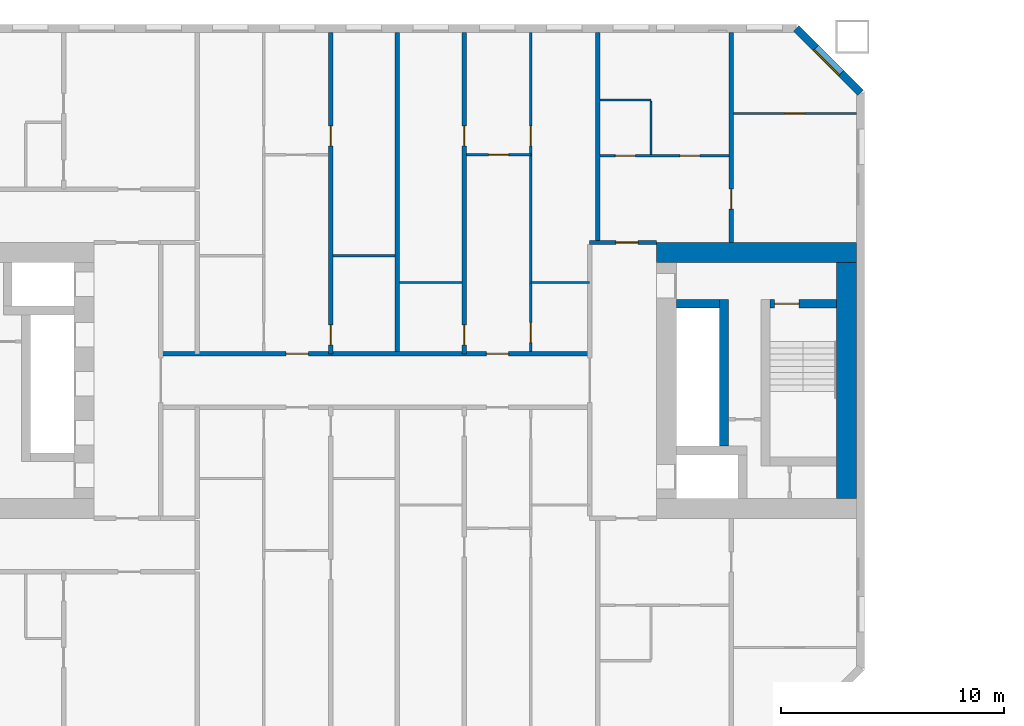
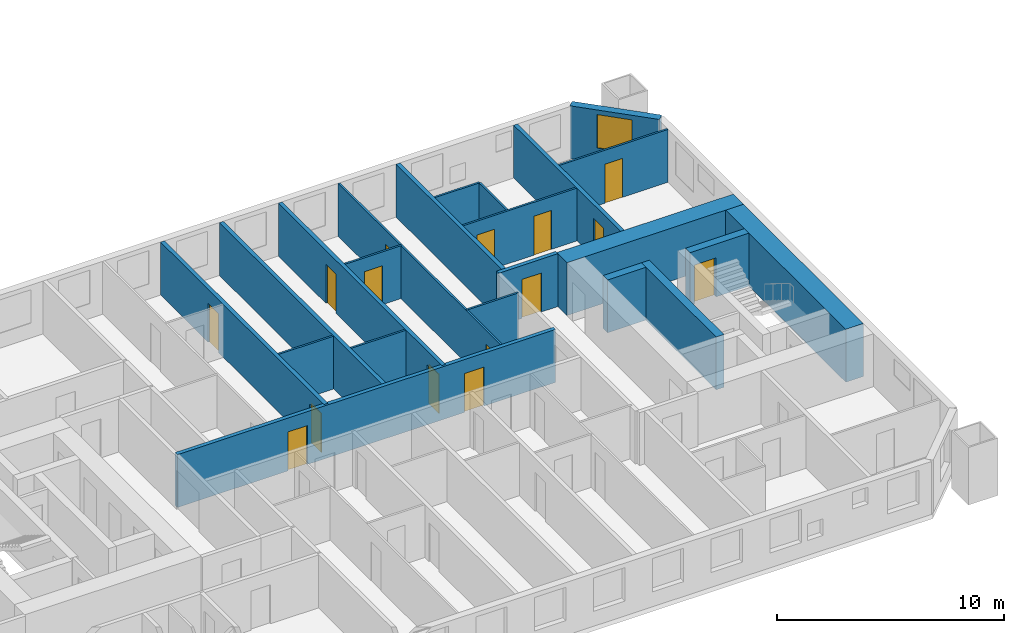
# One storey, part 8 of 17: 22 walls, 15 doors, 1 window, 16 openings.
"""IFC4 building model written with IfcOpenShell, lengths in metres."""

from ifc_helpers import new_model, si_unit, direction, frame, frame_2d, origin, place, context, subcontext, project, spatial, rectangle, extrude, material, layer, layer_set, type_object, element, fill, save


model = new_model("IFC4")

# Units and contexts
model_context = context("Model", 3, precision=1e-05, world=origin(), true_north=direction((0.0, 1.0)))
body_context = subcontext(model_context, "Body", "Model", "MODEL_VIEW")
ifc_project = project(units=[si_unit("LENGTHUNIT", "METRE"), si_unit("AREAUNIT", "SQUARE_METRE"), si_unit("VOLUMEUNIT", "CUBIC_METRE"), si_unit("PLANEANGLEUNIT", "RADIAN"), si_unit("MASSUNIT", "GRAM", prefix="KILO")], contexts=[model_context])

# Site, building, storey
site_placement = place(None, origin())
site = spatial("IfcSite", under=ifc_project, at=site_placement, CompositionType="ELEMENT")
building_placement = place(site_placement, origin())
building = spatial("IfcBuilding", under=site, at=building_placement, Name="Tuart Gate Housing", CompositionType="ELEMENT")
storey_placement = place(building_placement, frame((0.0, 0.0, 22.60009765625)))
storey = spatial("IfcBuildingStorey", under=building, at=storey_placement, Name="L05", CompositionType="ELEMENT", Elevation=22.60009765625)

# Wall, opening, window
ifc_material_1 = material(Name="Brick", Category="masonry")
ifc_layer_1 = layer(ifc_material_1, 0.360107421875)
ifc_layer_set_1 = layer_set([ifc_layer_1], Name="Brick pier and spandrel wall 360")
wall_type_1 = type_object("IfcWallType", Name="Brick pier and spandrel wall 360", PredefinedType="STANDARD", material=ifc_layer_set_1)
wall_1_placement = place(storey_placement, frame((75.820068359375, 82.92529296875, 0.0), z_axis=(0.0, 0.0, 1.0), x_axis=(-0.707106781187, 0.707106781187, 0.0)))
wall_1 = element("IfcWall", 1, at=wall_1_placement, inside=storey, type_object=wall_type_1, Name="External wall A-NE L05", PredefinedType="STANDARD", context=body_context, shape_type="SweptSolid", body=[
    extrude(rectangle(XDim=4.09375, YDim=0.360107421875, at=frame_2d((2.046875, 0.0))), origin(), (0.0, 0.0, 1.0), 2.849853515625),
])
opening_1_placement = place(wall_1_placement, frame((1.2470703125, 0.0, 0.800048828125)))
opening_1 = element("IfcOpeningElement", 2, at=opening_1_placement, cuts=wall_1, Name="Opening W1", PredefinedType="OPENING", context=body_context, shape_type="SweptSolid", body=[
    extrude(rectangle(XDim=1.60009765625, YDim=1.800048828125, at=frame_2d((0.800048828125, 0.89990234375))), frame((0.0, 0.18994140625, 0.0), z_axis=(0.0, -1.0, 0.0), x_axis=(1.0, 0.0, 0.0)), (0.0, 0.0, 1.0), 0.380126953125),
])
ifc_material_2 = material(Name="Aluminium frame with clear glass", Category="aluminium")
window_type = type_object("IfcWindowType", Name="Punched window 1600 x 1800", PartitioningType="SINGLE_PANEL", PredefinedType="WINDOW", material=ifc_material_2)
window_placement = place(opening_1_placement, origin())
window = element("IfcWindow", 3, at=window_placement, inside=storey, type_object=window_type, Name="Window W1", OverallHeight=1.800048828125, OverallWidth=1.60009765625, PartitioningType="SINGLE_PANEL", PredefinedType="WINDOW", context=body_context, shape_type="SweptSolid", body=[
    extrude(rectangle(XDim=1.60009765625, YDim=1.800048828125, at=frame_2d((0.800048828125, 0.89990234375))), frame((0.0, 0.150146484375, 0.0), z_axis=(0.0, -1.0, 0.0), x_axis=(1.0, 0.0, 0.0)), (0.0, 0.0, 1.0), 0.06005859375),
])
fill(opening_1, window)

# Wall
ifc_material_3 = material(Name="Concrete C60", Category="concrete")
ifc_layer_2 = layer(ifc_material_3, 0.39990234375)
ifc_layer_set_2 = layer_set([ifc_layer_2], Name="Core wall 400 C60")
wall_type_2 = type_object("IfcWallType", Name="Core wall 400 C60", PredefinedType="SHEAR", material=ifc_layer_set_2)
wall_2_placement = place(storey_placement, frame((67.5400390625, 73.449951171875, 0.0), z_axis=(0.0, 0.0, 1.0), x_axis=(1.0, 0.0, 0.0)))
element("IfcWall", 4, at=wall_2_placement, inside=storey, type_object=wall_type_2, Name="Core wall AG.4", PredefinedType="SHEAR", context=body_context, shape_type="SweptSolid", body=[
    extrude(rectangle(XDim=1.949951171875, YDim=0.39990234375, at=frame_2d((0.97509765625, 0.0))), origin(), (0.0, 0.0, 1.0), 2.849853515625),
])

# Wall, opening, door
wall_3_placement = place(storey_placement, frame((71.739990234375, 73.449951171875, 0.0), z_axis=(0.0, 0.0, 1.0), x_axis=(1.0, 0.0, 0.0)))
wall_3 = element("IfcWall", 5, at=wall_3_placement, inside=storey, type_object=wall_type_2, Name="Core wall AG.5", PredefinedType="SHEAR", context=body_context, shape_type="SweptSolid", body=[
    extrude(rectangle(XDim=3.0, YDim=0.39990234375, at=frame_2d((1.5, 0.0))), origin(), (0.0, 0.0, 1.0), 2.849853515625),
])
opening_2_placement = place(wall_3_placement, frame((0.219970703125, 0.0, 0.0)))
opening_2 = element("IfcOpeningElement", 6, at=opening_2_placement, cuts=wall_3, Name="Opening D368", PredefinedType="OPENING", context=body_context, shape_type="SweptSolid", body=[
    extrude(rectangle(XDim=1.10009765625, YDim=2.10009765625, at=frame_2d((0.550048828125, 1.050048828125))), frame((0.0, 0.2099609375, 0.0), z_axis=(0.0, -1.0, 0.0), x_axis=(1.0, 0.0, 0.0)), (0.0, 0.0, 1.0), 0.419921875),
])
ifc_material_4 = material(Name="Steel fire door", Category="steel")
door_type_1 = type_object("IfcDoorType", Name="Stair door 1100 x 2100 RH", OperationType="SINGLE_SWING_RIGHT", PredefinedType="DOOR", material=ifc_material_4)
door_1_placement = place(opening_2_placement, frame((1.10009765625, 0.0, 0.0), z_axis=(0.0, 0.0, 1.0), x_axis=(-1.0, 0.0, 0.0)))
door_1 = element("IfcDoor", 7, at=door_1_placement, inside=storey, type_object=door_type_1, Name="Stair door AG.SD", OperationType="SINGLE_SWING_RIGHT", OverallHeight=2.10009765625, OverallWidth=1.10009765625, PredefinedType="DOOR", context=body_context, shape_type="SweptSolid", body=[
    extrude(rectangle(XDim=1.10009765625, YDim=2.10009765625, at=frame_2d((0.550048828125, 1.050048828125))), frame((0.0, 0.025146484375, 0.0), z_axis=(0.0, -1.0, 0.0), x_axis=(1.0, 0.0, 0.0)), (0.0, 0.0, 1.0), 0.050048828125),
])
fill(opening_2, door_1)

# Walls
wall_4_placement = place(storey_placement, frame((69.68994140625, 67.050048828125, 0.0), z_axis=(0.0, 0.0, 1.0), x_axis=(0.0, 1.0, 0.0)))
element("IfcWall", 8, at=wall_4_placement, inside=storey, type_object=wall_type_2, Name="Core wall AG.6", PredefinedType="SHEAR", context=body_context, shape_type="SweptSolid", body=[
    extrude(rectangle(XDim=6.599853515625, YDim=0.39990234375, at=frame_2d((3.2998046875, 0.0))), origin(), (0.0, 0.0, 1.0), 2.849853515625),
])
ifc_material_5 = material(Name="Concrete C60", Category="concrete")
ifc_layer_3 = layer(ifc_material_5, 0.89990234375)
ifc_layer_set_3 = layer_set([ifc_layer_3], Name="Core wall 900 C60")
wall_type_3 = type_object("IfcWallType", Name="Core wall 900 C60", PredefinedType="SHEAR", material=ifc_layer_set_3)
wall_5_placement = place(storey_placement, frame((75.18994140625, 64.699951171875, 0.0), z_axis=(0.0, 0.0, 1.0), x_axis=(0.0, 1.0, 0.0)))
element("IfcWall", 9, at=wall_5_placement, inside=storey, type_object=wall_type_3, Name="Core wall AG back", PredefinedType="SHEAR", context=body_context, shape_type="SweptSolid", body=[
    extrude(rectangle(XDim=10.60009765625, YDim=0.89990234375, at=frame_2d((5.300048828125, 0.0))), origin(), (0.0, 0.0, 1.0), 2.849853515625),
])
wall_6_placement = place(storey_placement, frame((66.639892578125, 75.75, 0.0), z_axis=(0.0, 0.0, 1.0), x_axis=(1.0, 0.0, 0.0)))
element("IfcWall", 10, at=wall_6_placement, inside=storey, type_object=wall_type_3, Name="Core wall AG north", PredefinedType="SHEAR", context=body_context, shape_type="SweptSolid", body=[
    extrude(rectangle(XDim=9.0, YDim=0.89990234375, at=frame_2d((4.5, 0.0))), origin(), (0.0, 0.0, 1.0), 2.849853515625),
])

# Wall, openings, doors
ifc_material_6 = material(Name="Concrete masonry 15 MPa", Category="masonry")
ifc_layer_4 = layer(ifc_material_6, 0.199951171875)
ifc_layer_set_4 = layer_set([ifc_layer_4], Name="Corridor wall masonry 200")
wall_type_4 = type_object("IfcWallType", Name="Corridor wall masonry 200", PredefinedType="PARTITIONING", material=ifc_layer_set_4)
wall_7_placement = place(storey_placement, frame((44.360107421875, 71.199951171875, 0.0), z_axis=(0.0, 0.0, 1.0), x_axis=(1.0, 0.0, 0.0)))
wall_7 = element("IfcWall", 11, at=wall_7_placement, inside=storey, type_object=wall_type_4, Name="Corridor wall masonry 200", PredefinedType="PARTITIONING", context=body_context, shape_type="SweptSolid", body=[
    extrude(rectangle(XDim=19.27978515625, YDim=0.199951171875, at=frame_2d((9.639892578125, 0.0))), origin(), (0.0, 0.0, 1.0), 2.849853515625),
])
opening_3_placement = place(wall_7_placement, frame((14.639892578125, 0.0, 0.0)))
opening_3 = element("IfcOpeningElement", 12, at=opening_3_placement, cuts=wall_7, Name="Opening D370", PredefinedType="OPENING", context=body_context, shape_type="SweptSolid", body=[
    extrude(rectangle(XDim=1.0, YDim=2.10009765625, at=frame_2d((0.5, 1.050048828125))), frame((0.0, 0.10986328125, 0.0), z_axis=(0.0, -1.0, 0.0), x_axis=(1.0, 0.0, 0.0)), (0.0, 0.0, 1.0), 0.219970703125),
])
opening_4_placement = place(wall_7_placement, frame((5.639892578125, 0.0, 0.0)))
opening_4 = element("IfcOpeningElement", 13, at=opening_4_placement, cuts=wall_7, Name="Opening D371", PredefinedType="OPENING", context=body_context, shape_type="SweptSolid", body=[
    extrude(rectangle(XDim=1.0, YDim=2.10009765625, at=frame_2d((0.5, 1.050048828125))), frame((0.0, 0.10986328125, 0.0), z_axis=(0.0, -1.0, 0.0), x_axis=(1.0, 0.0, 0.0)), (0.0, 0.0, 1.0), 0.219970703125),
])
ifc_material_7 = material(Name="Timber door leaf in steel frame", Category="steel")
door_type_2 = type_object("IfcDoorType", Name="Flat entrance door 1000", OperationType="SINGLE_SWING_LEFT", PredefinedType="DOOR", material=ifc_material_7)
door_2_placement = place(opening_3_placement, origin())
door_2 = element("IfcDoor", 14, at=door_2_placement, inside=storey, type_object=door_type_2, Name="Flat entrance door", OperationType="SINGLE_SWING_LEFT", OverallHeight=2.10009765625, OverallWidth=1.0, PredefinedType="DOOR", context=body_context, shape_type="SweptSolid", body=[
    extrude(rectangle(XDim=1.0, YDim=2.10009765625, at=frame_2d((0.5, 1.050048828125))), frame((0.0, 0.02490234375, 0.0), z_axis=(0.0, -1.0, 0.0), x_axis=(1.0, 0.0, 0.0)), (0.0, 0.0, 1.0), 0.050048828125),
])
fill(opening_3, door_2)
door_3_placement = place(opening_4_placement, origin())
door_3 = element("IfcDoor", 15, at=door_3_placement, inside=storey, type_object=door_type_2, Name="Flat entrance door", OperationType="SINGLE_SWING_LEFT", OverallHeight=2.10009765625, OverallWidth=1.0, PredefinedType="DOOR", context=body_context, shape_type="SweptSolid", body=[
    extrude(rectangle(XDim=1.0, YDim=2.10009765625, at=frame_2d((0.5, 1.050048828125))), frame((0.0, 0.02490234375, 0.0), z_axis=(0.0, -1.0, 0.0), x_axis=(1.0, 0.0, 0.0)), (0.0, 0.0, 1.0), 0.050048828125),
])
fill(opening_4, door_3)

# Wall, opening, door
ifc_material_8 = material(Name="Concrete masonry 15 MPa", Category="masonry")
ifc_layer_5 = layer(ifc_material_8, 0.199951171875)
ifc_layer_set_5 = layer_set([ifc_layer_5], Name="Enclosure wall masonry 200")
wall_type_5 = type_object("IfcWallType", Name="Enclosure wall masonry 200", PredefinedType="PARTITIONING", material=ifc_layer_set_5)
wall_8_placement = place(storey_placement, frame((63.639892578125, 76.199951171875, 0.0), z_axis=(0.0, 0.0, 1.0), x_axis=(1.0, 0.0, 0.0)))
wall_8 = element("IfcWall", 16, at=wall_8_placement, inside=storey, type_object=wall_type_5, Name="Enclosure wall masonry 200", PredefinedType="PARTITIONING", context=body_context, shape_type="SweptSolid", body=[
    extrude(rectangle(XDim=3.0, YDim=0.199951171875, at=frame_2d((1.5, 0.0))), origin(), (0.0, 0.0, 1.0), 2.849853515625),
])
opening_5_placement = place(wall_8_placement, frame((1.179931640625, 0.0, 0.0)))
opening_5 = element("IfcOpeningElement", 17, at=opening_5_placement, cuts=wall_8, Name="Opening D367", PredefinedType="OPENING", context=body_context, shape_type="SweptSolid", body=[
    extrude(rectangle(XDim=1.0, YDim=2.10009765625, at=frame_2d((0.5, 1.050048828125))), frame((0.0, 0.10986328125, 0.0), z_axis=(0.0, -1.0, 0.0), x_axis=(1.0, 0.0, 0.0)), (0.0, 0.0, 1.0), 0.219970703125),
])
door_4_placement = place(opening_5_placement, origin())
door_4 = element("IfcDoor", 18, at=door_4_placement, inside=storey, type_object=door_type_2, Name="Flat entrance door", OperationType="SINGLE_SWING_LEFT", OverallHeight=2.10009765625, OverallWidth=1.0, PredefinedType="DOOR", context=body_context, shape_type="SweptSolid", body=[
    extrude(rectangle(XDim=1.0, YDim=2.10009765625, at=frame_2d((0.5, 1.050048828125))), frame((0.0, 0.02490234375, 0.0), z_axis=(0.0, -1.0, 0.0), x_axis=(1.0, 0.0, 0.0)), (0.0, 0.0, 1.0), 0.050048828125),
])
fill(opening_5, door_4)

# Walls
ifc_material_9 = material(Name="Gypsum board on steel studs", Category="steel")
ifc_layer_6 = layer(ifc_material_9, 0.10009765625)
ifc_layer_set_6 = layer_set([ifc_layer_6], Name="Partition 100")
wall_type_6 = type_object("IfcWallType", Name="Partition 100", PredefinedType="PARTITIONING", material=ifc_layer_set_6)
wall_9_placement = place(storey_placement, frame((55.10009765625, 74.39990234375, 0.0), z_axis=(0.0, 0.0, 1.0), x_axis=(1.0, 0.0, 0.0)))
element("IfcWall", 19, at=wall_9_placement, inside=storey, type_object=wall_type_6, Name="Partition 100", PredefinedType="PARTITIONING", context=body_context, shape_type="SweptSolid", body=[
    extrude(rectangle(XDim=2.7998046875, YDim=0.10009765625, at=frame_2d((1.39990234375, 0.0))), origin(), (0.0, 0.0, 1.0), 2.849853515625),
])
wall_10_placement = place(storey_placement, frame((61.0, 74.39990234375, 0.0), z_axis=(0.0, 0.0, 1.0), x_axis=(1.0, 0.0, 0.0)))
element("IfcWall", 20, at=wall_10_placement, inside=storey, type_object=wall_type_6, Name="Partition 100", PredefinedType="PARTITIONING", context=body_context, shape_type="SweptSolid", body=[
    extrude(rectangle(XDim=2.639892578125, YDim=0.10009765625, at=frame_2d((1.31982421875, 0.0))), origin(), (0.0, 0.0, 1.0), 2.849853515625),
])
wall_11_placement = place(storey_placement, frame((52.10009765625, 75.60009765625, 0.0), z_axis=(0.0, 0.0, 1.0), x_axis=(1.0, 0.0, 0.0)))
element("IfcWall", 21, at=wall_11_placement, inside=storey, type_object=wall_type_6, Name="Partition 100", PredefinedType="PARTITIONING", context=body_context, shape_type="SweptSolid", body=[
    extrude(rectangle(XDim=2.7998046875, YDim=0.10009765625, at=frame_2d((1.39990234375, 0.0))), origin(), (0.0, 0.0, 1.0), 2.849853515625),
])

# Wall, openings, doors
wall_12_placement = place(storey_placement, frame((64.10009765625, 80.10009765625, 0.0), z_axis=(0.0, 0.0, 1.0), x_axis=(1.0, 0.0, 0.0)))
wall_12 = element("IfcWall", 22, at=wall_12_placement, inside=storey, type_object=wall_type_6, Name="Partition 100", PredefinedType="PARTITIONING", context=body_context, shape_type="SweptSolid", body=[
    extrude(rectangle(XDim=5.7998046875, YDim=0.10009765625, at=frame_2d((2.89990234375, 0.0))), origin(), (0.0, 0.0, 1.0), 2.849853515625),
])
opening_6_placement = place(wall_12_placement, frame((3.60009765625, 0.0, 0.0)))
opening_6 = element("IfcOpeningElement", 23, at=opening_6_placement, cuts=wall_12, Name="Opening D353", PredefinedType="OPENING", context=body_context, shape_type="SweptSolid", body=[
    extrude(rectangle(XDim=0.89990234375, YDim=2.10009765625, at=frame_2d((0.449951171875, 1.050048828125))), frame((0.0, 0.06005859375, 0.0), z_axis=(0.0, -1.0, 0.0), x_axis=(1.0, 0.0, 0.0)), (0.0, 0.0, 1.0), 0.1201171875),
])
opening_7_placement = place(wall_12_placement, frame((0.699951171875, 0.0, 0.0)))
opening_7 = element("IfcOpeningElement", 24, at=opening_7_placement, cuts=wall_12, Name="Opening D352", PredefinedType="OPENING", context=body_context, shape_type="SweptSolid", body=[
    extrude(rectangle(XDim=0.89990234375, YDim=2.10009765625, at=frame_2d((0.449951171875, 1.050048828125))), frame((0.0, 0.06005859375, 0.0), z_axis=(0.0, -1.0, 0.0), x_axis=(1.0, 0.0, 0.0)), (0.0, 0.0, 1.0), 0.1201171875),
])
ifc_material_10 = material(Name="Timber door leaf in steel frame", Category="steel")
door_type_3 = type_object("IfcDoorType", Name="Bathroom door 900 RH", OperationType="SINGLE_SWING_RIGHT", PredefinedType="DOOR", material=ifc_material_10)
door_5_placement = place(opening_7_placement, origin())
door_5 = element("IfcDoor", 25, at=door_5_placement, inside=storey, type_object=door_type_3, Name="Bathroom door", OperationType="SINGLE_SWING_RIGHT", OverallHeight=2.10009765625, OverallWidth=0.89990234375, PredefinedType="DOOR", context=body_context, shape_type="SweptSolid", body=[
    extrude(rectangle(XDim=0.89990234375, YDim=2.10009765625, at=frame_2d((0.449951171875, 1.050048828125))), frame((0.0, 0.02490234375, 0.0), z_axis=(0.0, -1.0, 0.0), x_axis=(1.0, 0.0, 0.0)), (0.0, 0.0, 1.0), 0.050048828125),
])
fill(opening_7, door_5)
ifc_material_11 = material(Name="Timber door leaf in steel frame", Category="steel")
door_type_4 = type_object("IfcDoorType", Name="Internal door 900", OperationType="SINGLE_SWING_LEFT", PredefinedType="DOOR", material=ifc_material_11)
door_6_placement = place(opening_6_placement, origin())
door_6 = element("IfcDoor", 26, at=door_6_placement, inside=storey, type_object=door_type_4, Name="Internal door", OperationType="SINGLE_SWING_LEFT", OverallHeight=2.10009765625, OverallWidth=0.89990234375, PredefinedType="DOOR", context=body_context, shape_type="SweptSolid", body=[
    extrude(rectangle(XDim=0.89990234375, YDim=2.10009765625, at=frame_2d((0.449951171875, 1.050048828125))), frame((0.0, 0.02490234375, 0.0), z_axis=(0.0, -1.0, 0.0), x_axis=(1.0, 0.0, 0.0)), (0.0, 0.0, 1.0), 0.050048828125),
])
fill(opening_6, door_6)

# Wall, opening, door
wall_13_placement = place(storey_placement, frame((58.10009765625, 80.139892578125, 0.0), z_axis=(0.0, 0.0, 1.0), x_axis=(1.0, 0.0, 0.0)))
wall_13 = element("IfcWall", 27, at=wall_13_placement, inside=storey, type_object=wall_type_6, Name="Partition 100", PredefinedType="PARTITIONING", context=body_context, shape_type="SweptSolid", body=[
    extrude(rectangle(XDim=2.89990234375, YDim=0.10009765625, at=frame_2d((1.449951171875, 0.0))), origin(), (0.0, 0.0, 1.0), 2.849853515625),
])
opening_8_placement = place(wall_13_placement, frame((1.0, 0.0, 0.0)))
opening_8 = element("IfcOpeningElement", 28, at=opening_8_placement, cuts=wall_13, Name="Opening D350", PredefinedType="OPENING", context=body_context, shape_type="SweptSolid", body=[
    extrude(rectangle(XDim=0.89990234375, YDim=2.10009765625, at=frame_2d((0.449951171875, 1.050048828125))), frame((0.0, 0.06005859375, 0.0), z_axis=(0.0, -1.0, 0.0), x_axis=(1.0, 0.0, 0.0)), (0.0, 0.0, 1.0), 0.1201171875),
])
door_7_placement = place(opening_8_placement, frame((0.89990234375, 0.0, 0.0), z_axis=(0.0, 0.0, 1.0), x_axis=(-1.0, 0.0, 0.0)))
door_7 = element("IfcDoor", 29, at=door_7_placement, inside=storey, type_object=door_type_4, Name="Internal door", OperationType="SINGLE_SWING_LEFT", OverallHeight=2.10009765625, OverallWidth=0.89990234375, PredefinedType="DOOR", context=body_context, shape_type="SweptSolid", body=[
    extrude(rectangle(XDim=0.89990234375, YDim=2.10009765625, at=frame_2d((0.449951171875, 1.050048828125))), frame((0.0, 0.025146484375, 0.0), z_axis=(0.0, -1.0, 0.0), x_axis=(1.0, 0.0, 0.0)), (0.0, 0.0, 1.0), 0.050048828125),
])
fill(opening_8, door_7)

wall_14_placement = place(storey_placement, frame((70.10009765625, 82.0, 0.0), z_axis=(0.0, 0.0, 1.0), x_axis=(1.0, 0.0, 0.0)))
wall_14 = element("IfcWall", 30, at=wall_14_placement, inside=storey, type_object=wall_type_6, Name="Partition 100", PredefinedType="PARTITIONING", context=body_context, shape_type="SweptSolid", body=[
    extrude(rectangle(XDim=5.539794921875, YDim=0.10009765625, at=frame_2d((2.77001953125, 0.0))), origin(), (0.0, 0.0, 1.0), 2.849853515625),
])
opening_9_placement = place(wall_14_placement, frame((2.320068359375, 0.0, 0.0)))
opening_9 = element("IfcOpeningElement", 31, at=opening_9_placement, cuts=wall_14, Name="Opening D347", PredefinedType="OPENING", context=body_context, shape_type="SweptSolid", body=[
    extrude(rectangle(XDim=0.89990234375, YDim=2.10009765625, at=frame_2d((0.449951171875, 1.050048828125))), frame((0.0, 0.06005859375, 0.0), z_axis=(0.0, -1.0, 0.0), x_axis=(1.0, 0.0, 0.0)), (0.0, 0.0, 1.0), 0.1201171875),
])
ifc_material_12 = material(Name="Timber door leaf in steel frame", Category="steel")
door_type_5 = type_object("IfcDoorType", Name="Internal door 900 RH", OperationType="SINGLE_SWING_RIGHT", PredefinedType="DOOR", material=ifc_material_12)
door_8_placement = place(opening_9_placement, origin())
door_8 = element("IfcDoor", 32, at=door_8_placement, inside=storey, type_object=door_type_5, Name="Internal door", OperationType="SINGLE_SWING_RIGHT", OverallHeight=2.10009765625, OverallWidth=0.89990234375, PredefinedType="DOOR", context=body_context, shape_type="SweptSolid", body=[
    extrude(rectangle(XDim=0.89990234375, YDim=2.10009765625, at=frame_2d((0.449951171875, 1.050048828125))), frame((0.0, 0.02490234375, 0.0), z_axis=(0.0, -1.0, 0.0), x_axis=(1.0, 0.0, 0.0)), (0.0, 0.0, 1.0), 0.050048828125),
])
fill(opening_9, door_8)

# Wall
wall_15_placement = place(storey_placement, frame((64.10009765625, 82.60009765625, 0.0), z_axis=(0.0, 0.0, 1.0), x_axis=(1.0, 0.0, 0.0)))
element("IfcWall", 33, at=wall_15_placement, inside=storey, type_object=wall_type_6, Name="Partition 100", PredefinedType="PARTITIONING", context=body_context, shape_type="SweptSolid", body=[
    extrude(rectangle(XDim=2.2998046875, YDim=0.10009765625, at=frame_2d((1.14990234375, 0.0))), origin(), (0.0, 0.0, 1.0), 2.849853515625),
])

# Wall, openings, doors
wall_16_placement = place(storey_placement, frame((61.0, 71.300048828125, 0.0), z_axis=(0.0, 0.0, 1.0), x_axis=(0.0, 1.0, 0.0)))
wall_16 = element("IfcWall", 34, at=wall_16_placement, inside=storey, type_object=wall_type_6, Name="Partition 100", PredefinedType="PARTITIONING", context=body_context, shape_type="SweptSolid", body=[
    extrude(rectangle(XDim=14.33984375, YDim=0.10009765625, at=frame_2d((7.169921875, 0.0))), origin(), (0.0, 0.0, 1.0), 2.849853515625),
])
opening_10_placement = place(wall_16_placement, frame((9.239990234375, 0.0, 0.0)))
opening_10 = element("IfcOpeningElement", 35, at=opening_10_placement, cuts=wall_16, Name="Opening D360", PredefinedType="OPENING", context=body_context, shape_type="SweptSolid", body=[
    extrude(rectangle(XDim=0.89990234375, YDim=2.10009765625, at=frame_2d((0.449951171875, 1.050048828125))), frame((0.0, 0.06005859375, 0.0), z_axis=(0.0, -1.0, 0.0), x_axis=(1.0, 0.0, 0.0)), (0.0, 0.0, 1.0), 0.1201171875),
])
opening_11_placement = place(wall_16_placement, frame((0.39990234375, 0.0, 0.0)))
opening_11 = element("IfcOpeningElement", 36, at=opening_11_placement, cuts=wall_16, Name="Opening D359", PredefinedType="OPENING", context=body_context, shape_type="SweptSolid", body=[
    extrude(rectangle(XDim=0.89990234375, YDim=2.10009765625, at=frame_2d((0.449951171875, 1.050048828125))), frame((0.0, 0.06005859375, 0.0), z_axis=(0.0, -1.0, 0.0), x_axis=(1.0, 0.0, 0.0)), (0.0, 0.0, 1.0), 0.1201171875),
])
door_9_placement = place(opening_11_placement, frame((0.89990234375, 0.0, 0.0), z_axis=(0.0, 0.0, 1.0), x_axis=(-1.0, 0.0, 0.0)))
door_9 = element("IfcDoor", 37, at=door_9_placement, inside=storey, type_object=door_type_3, Name="Bathroom door", OperationType="SINGLE_SWING_RIGHT", OverallHeight=2.10009765625, OverallWidth=0.89990234375, PredefinedType="DOOR", context=body_context, shape_type="SweptSolid", body=[
    extrude(rectangle(XDim=0.89990234375, YDim=2.10009765625, at=frame_2d((0.449951171875, 1.050048828125))), frame((0.0, 0.025146484375, 0.0), z_axis=(0.0, -1.0, 0.0), x_axis=(1.0, 0.0, 0.0)), (0.0, 0.0, 1.0), 0.050048828125),
])
fill(opening_11, door_9)
door_10_placement = place(opening_10_placement, frame((0.89990234375, 0.0, 0.0), z_axis=(0.0, 0.0, 1.0), x_axis=(-1.0, 0.0, 0.0)))
door_10 = element("IfcDoor", 38, at=door_10_placement, inside=storey, type_object=door_type_4, Name="Internal door", OperationType="SINGLE_SWING_LEFT", OverallHeight=2.10009765625, OverallWidth=0.89990234375, PredefinedType="DOOR", context=body_context, shape_type="SweptSolid", body=[
    extrude(rectangle(XDim=0.89990234375, YDim=2.10009765625, at=frame_2d((0.449951171875, 1.050048828125))), frame((0.0, 0.025146484375, 0.0), z_axis=(0.0, -1.0, 0.0), x_axis=(1.0, 0.0, 0.0)), (0.0, 0.0, 1.0), 0.050048828125),
])
fill(opening_10, door_10)

# Wall
wall_17_placement = place(storey_placement, frame((66.39990234375, 80.14990234375, 0.0), z_axis=(0.0, 0.0, 1.0), x_axis=(0.0, 1.0, 0.0)))
element("IfcWall", 39, at=wall_17_placement, inside=storey, type_object=wall_type_6, Name="Partition 100", PredefinedType="PARTITIONING", context=body_context, shape_type="SweptSolid", body=[
    extrude(rectangle(XDim=2.400146484375, YDim=0.10009765625, at=frame_2d((1.2001953125, 0.0))), origin(), (0.0, 0.0, 1.0), 2.849853515625),
])

# Wall, openings, doors
ifc_material_13 = material(Name="Concrete C40", Category="concrete")
ifc_layer_7 = layer(ifc_material_13, 0.199951171875)
ifc_layer_set_7 = layer_set([ifc_layer_7], Name="Party wall concrete C40 200")
wall_type_7 = type_object("IfcWallType", Name="Party wall concrete C40 200", PredefinedType="SOLIDWALL", material=ifc_layer_set_7)
wall_18_placement = place(storey_placement, frame((52.0, 71.199951171875, 0.0), z_axis=(0.0, 0.0, 1.0), x_axis=(0.0, 1.0, 0.0)))
wall_18 = element("IfcWall", 40, at=wall_18_placement, inside=storey, type_object=wall_type_7, Name="Party wall concrete C40 200", PredefinedType="SOLIDWALL", context=body_context, shape_type="SweptSolid", body=[
    extrude(rectangle(XDim=14.43994140625, YDim=0.199951171875, at=frame_2d((7.219970703125, 0.0))), origin(), (0.0, 0.0, 1.0), 2.849853515625),
])
opening_12_placement = place(wall_18_placement, frame((9.340087890625, 0.0, 0.0)))
opening_12 = element("IfcOpeningElement", 41, at=opening_12_placement, cuts=wall_18, Name="Opening D362", PredefinedType="OPENING", context=body_context, shape_type="SweptSolid", body=[
    extrude(rectangle(XDim=0.89990234375, YDim=2.10009765625, at=frame_2d((0.449951171875, 1.050048828125))), frame((0.0, 0.10986328125, 0.0), z_axis=(0.0, -1.0, 0.0), x_axis=(1.0, 0.0, 0.0)), (0.0, 0.0, 1.0), 0.219970703125),
])
opening_13_placement = place(wall_18_placement, frame((0.39990234375, 0.0, 0.0)))
opening_13 = element("IfcOpeningElement", 42, at=opening_13_placement, cuts=wall_18, Name="Opening D361", PredefinedType="OPENING", context=body_context, shape_type="SweptSolid", body=[
    extrude(rectangle(XDim=0.89990234375, YDim=2.10009765625, at=frame_2d((0.449951171875, 1.050048828125))), frame((0.0, 0.10986328125, 0.0), z_axis=(0.0, -1.0, 0.0), x_axis=(1.0, 0.0, 0.0)), (0.0, 0.0, 1.0), 0.219970703125),
])
door_11_placement = place(opening_13_placement, frame((0.89990234375, 0.0, 0.0), z_axis=(0.0, 0.0, 1.0), x_axis=(-1.0, 0.0, 0.0)))
door_11 = element("IfcDoor", 43, at=door_11_placement, inside=storey, type_object=door_type_3, Name="Bathroom door", OperationType="SINGLE_SWING_RIGHT", OverallHeight=2.10009765625, OverallWidth=0.89990234375, PredefinedType="DOOR", context=body_context, shape_type="SweptSolid", body=[
    extrude(rectangle(XDim=0.89990234375, YDim=2.10009765625, at=frame_2d((0.449951171875, 1.050048828125))), frame((0.0, 0.025146484375, 0.0), z_axis=(0.0, -1.0, 0.0), x_axis=(1.0, 0.0, 0.0)), (0.0, 0.0, 1.0), 0.050048828125),
])
fill(opening_13, door_11)
door_12_placement = place(opening_12_placement, frame((0.89990234375, 0.0, 0.0), z_axis=(0.0, 0.0, 1.0), x_axis=(-1.0, 0.0, 0.0)))
door_12 = element("IfcDoor", 44, at=door_12_placement, inside=storey, type_object=door_type_4, Name="Internal door", OperationType="SINGLE_SWING_LEFT", OverallHeight=2.10009765625, OverallWidth=0.89990234375, PredefinedType="DOOR", context=body_context, shape_type="SweptSolid", body=[
    extrude(rectangle(XDim=0.89990234375, YDim=2.10009765625, at=frame_2d((0.449951171875, 1.050048828125))), frame((0.0, 0.025146484375, 0.0), z_axis=(0.0, -1.0, 0.0), x_axis=(1.0, 0.0, 0.0)), (0.0, 0.0, 1.0), 0.050048828125),
])
fill(opening_12, door_12)

wall_19_placement = place(storey_placement, frame((58.0, 71.199951171875, 0.0), z_axis=(0.0, 0.0, 1.0), x_axis=(0.0, 1.0, 0.0)))
wall_19 = element("IfcWall", 45, at=wall_19_placement, inside=storey, type_object=wall_type_7, Name="Party wall concrete C40 200", PredefinedType="SOLIDWALL", context=body_context, shape_type="SweptSolid", body=[
    extrude(rectangle(XDim=14.43994140625, YDim=0.199951171875, at=frame_2d((7.219970703125, 0.0))), origin(), (0.0, 0.0, 1.0), 2.849853515625),
])
opening_14_placement = place(wall_19_placement, frame((9.340087890625, 0.0, 0.0)))
opening_14 = element("IfcOpeningElement", 46, at=opening_14_placement, cuts=wall_19, Name="Opening D364", PredefinedType="OPENING", context=body_context, shape_type="SweptSolid", body=[
    extrude(rectangle(XDim=0.89990234375, YDim=2.10009765625, at=frame_2d((0.449951171875, 1.050048828125))), frame((0.0, 0.10986328125, 0.0), z_axis=(0.0, -1.0, 0.0), x_axis=(1.0, 0.0, 0.0)), (0.0, 0.0, 1.0), 0.219970703125),
])
opening_15_placement = place(wall_19_placement, frame((0.39990234375, 0.0, 0.0)))
opening_15 = element("IfcOpeningElement", 47, at=opening_15_placement, cuts=wall_19, Name="Opening D363", PredefinedType="OPENING", context=body_context, shape_type="SweptSolid", body=[
    extrude(rectangle(XDim=0.89990234375, YDim=2.10009765625, at=frame_2d((0.449951171875, 1.050048828125))), frame((0.0, 0.10986328125, 0.0), z_axis=(0.0, -1.0, 0.0), x_axis=(1.0, 0.0, 0.0)), (0.0, 0.0, 1.0), 0.219970703125),
])
ifc_material_14 = material(Name="Timber door leaf in steel frame", Category="steel")
door_type_6 = type_object("IfcDoorType", Name="Bathroom door 900", OperationType="SINGLE_SWING_LEFT", PredefinedType="DOOR", material=ifc_material_14)
door_13_placement = place(opening_15_placement, origin())
door_13 = element("IfcDoor", 48, at=door_13_placement, inside=storey, type_object=door_type_6, Name="Bathroom door", OperationType="SINGLE_SWING_LEFT", OverallHeight=2.10009765625, OverallWidth=0.89990234375, PredefinedType="DOOR", context=body_context, shape_type="SweptSolid", body=[
    extrude(rectangle(XDim=0.89990234375, YDim=2.10009765625, at=frame_2d((0.449951171875, 1.050048828125))), frame((0.0, 0.02490234375, 0.0), z_axis=(0.0, -1.0, 0.0), x_axis=(1.0, 0.0, 0.0)), (0.0, 0.0, 1.0), 0.050048828125),
])
fill(opening_15, door_13)
door_14_placement = place(opening_14_placement, origin())
door_14 = element("IfcDoor", 49, at=door_14_placement, inside=storey, type_object=door_type_5, Name="Internal door", OperationType="SINGLE_SWING_RIGHT", OverallHeight=2.10009765625, OverallWidth=0.89990234375, PredefinedType="DOOR", context=body_context, shape_type="SweptSolid", body=[
    extrude(rectangle(XDim=0.89990234375, YDim=2.10009765625, at=frame_2d((0.449951171875, 1.050048828125))), frame((0.0, 0.02490234375, 0.0), z_axis=(0.0, -1.0, 0.0), x_axis=(1.0, 0.0, 0.0)), (0.0, 0.0, 1.0), 0.050048828125),
])
fill(opening_14, door_14)

# Wall
wall_20_placement = place(storey_placement, frame((64.0, 76.199951171875, 0.0), z_axis=(0.0, 0.0, 1.0), x_axis=(0.0, 1.0, 0.0)))
element("IfcWall", 50, at=wall_20_placement, inside=storey, type_object=wall_type_7, Name="Party wall concrete C40 200", PredefinedType="SOLIDWALL", context=body_context, shape_type="SweptSolid", body=[
    extrude(rectangle(XDim=9.43994140625, YDim=0.199951171875, at=frame_2d((4.719970703125, 0.0))), origin(), (0.0, 0.0, 1.0), 2.849853515625),
])

# Wall, opening, door
wall_21_placement = place(storey_placement, frame((70.0, 76.199951171875, 0.0), z_axis=(0.0, 0.0, 1.0), x_axis=(0.0, 1.0, 0.0)))
wall_21 = element("IfcWall", 51, at=wall_21_placement, inside=storey, type_object=wall_type_7, Name="Party wall concrete C40 200", PredefinedType="SOLIDWALL", context=body_context, shape_type="SweptSolid", body=[
    extrude(rectangle(XDim=9.43994140625, YDim=0.199951171875, at=frame_2d((4.719970703125, 0.0))), origin(), (0.0, 0.0, 1.0), 2.849853515625),
])
opening_16_placement = place(wall_21_placement, frame((1.5, 0.0, 0.0)))
opening_16 = element("IfcOpeningElement", 52, at=opening_16_placement, cuts=wall_21, Name="Opening D348", PredefinedType="OPENING", context=body_context, shape_type="SweptSolid", body=[
    extrude(rectangle(XDim=0.89990234375, YDim=2.10009765625, at=frame_2d((0.449951171875, 1.050048828125))), frame((0.0, 0.10986328125, 0.0), z_axis=(0.0, -1.0, 0.0), x_axis=(1.0, 0.0, 0.0)), (0.0, 0.0, 1.0), 0.219970703125),
])
door_15_placement = place(opening_16_placement, origin())
door_15 = element("IfcDoor", 53, at=door_15_placement, inside=storey, type_object=door_type_4, Name="Internal door", OperationType="SINGLE_SWING_LEFT", OverallHeight=2.10009765625, OverallWidth=0.89990234375, PredefinedType="DOOR", context=body_context, shape_type="SweptSolid", body=[
    extrude(rectangle(XDim=0.89990234375, YDim=2.10009765625, at=frame_2d((0.449951171875, 1.050048828125))), frame((0.0, 0.02490234375, 0.0), z_axis=(0.0, -1.0, 0.0), x_axis=(1.0, 0.0, 0.0)), (0.0, 0.0, 1.0), 0.050048828125),
])
fill(opening_16, door_15)

# Wall
ifc_material_15 = material(Name="Concrete masonry 15 MPa", Category="masonry")
ifc_layer_8 = layer(ifc_material_15, 0.199951171875)
ifc_layer_set_8 = layer_set([ifc_layer_8], Name="Party wall masonry 200")
wall_type_8 = type_object("IfcWallType", Name="Party wall masonry 200", PredefinedType="PARTITIONING", material=ifc_layer_set_8)
wall_22_placement = place(storey_placement, frame((55.0, 71.300048828125, 0.0), z_axis=(0.0, 0.0, 1.0), x_axis=(0.0, 1.0, 0.0)))
element("IfcWall", 54, at=wall_22_placement, inside=storey, type_object=wall_type_8, Name="Party wall masonry 200", PredefinedType="PARTITIONING", context=body_context, shape_type="SweptSolid", body=[
    extrude(rectangle(XDim=14.33984375, YDim=0.199951171875, at=frame_2d((7.169921875, 0.0))), origin(), (0.0, 0.0, 1.0), 2.849853515625),
])

save(model, "model.ifc")
